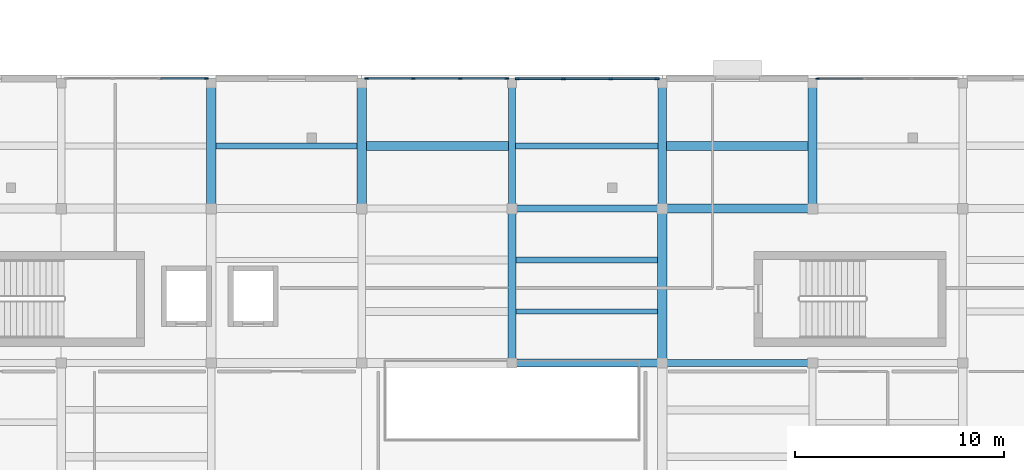
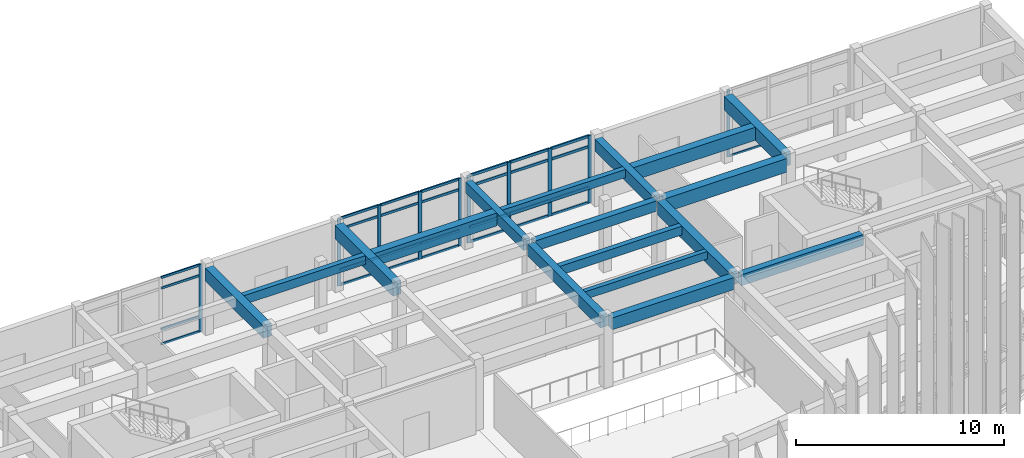
# One storey, part 20 of 47: 39 members, 17 beams, 4 elements without a shape of their own.
"""IFC4 building model written with IfcOpenShell, lengths in metres."""

from ifc_helpers import new_model, si_unit, direction, frame, origin, origin_2d, place, context, subcontext, project, spatial, rectangle, extrude, material, layer, layer_set, material_profile, profile_set, type_object, element, aggregate, save


model = new_model("IFC4")

# Units and contexts
model_context = context("Model", 3, precision=1e-05, world=origin(), true_north=direction((0.0, 1.0)))
body_context = subcontext(model_context, "Body", "Model", "MODEL_VIEW")
ifc_project = project(units=[si_unit("LENGTHUNIT", "METRE"), si_unit("AREAUNIT", "SQUARE_METRE"), si_unit("VOLUMEUNIT", "CUBIC_METRE"), si_unit("PLANEANGLEUNIT", "RADIAN"), si_unit("MASSUNIT", "GRAM", prefix="KILO")], contexts=[model_context])

# Site, building, storey
site_placement = place(None, origin())
site = spatial("IfcSite", under=ifc_project, at=site_placement, CompositionType="ELEMENT")
building_placement = place(site_placement, origin())
building = spatial("IfcBuilding", under=site, at=building_placement, Name="Brisavento Harbour Community Centre", CompositionType="ELEMENT")
storey_placement = place(building_placement, frame((0.0, 0.0, 8.699951171875)))
storey = spatial("IfcBuildingStorey", under=building, at=storey_placement, Name="L02", CompositionType="ELEMENT", Elevation=8.699951171875)

# Beams
ifc_material_1 = material(Name="Concrete C35/45", Category="concrete")
ifc_material_profile_1 = material_profile(ifc_material_1, rectangle(XDim=0.25, YDim=0.449951171875, at=origin_2d()), Name="Concrete C35/45")
ifc_profile_set_1 = profile_set([ifc_material_profile_1], Name="Concrete C35/45")
beam_type_1 = type_object("IfcBeamType", Name="BM-JST-250x450", PredefinedType="JOIST", material=ifc_profile_set_1)
beam_1_placement = place(storey_placement, frame((144.199951171875, 17.466796875, 3.735107421875), z_axis=(1.0, 0.0, 0.0), x_axis=(0.0, 1.0, 0.0)))
element("IfcBeam", 1, at=beam_1_placement, inside=storey, type_object=beam_type_1, Name="L02 secondary floor joist 0310", PredefinedType="JOIST", context=body_context, shape_type="SweptSolid", body=[
    extrude(rectangle(XDim=0.25, YDim=0.449951171875, at=origin_2d()), origin(), (0.0, 0.0, 1.0), 6.775146484375),
])
ifc_material_profile_2 = material_profile(ifc_material_1, rectangle(XDim=0.280029296875, YDim=0.47998046875, at=origin_2d()), Name="Concrete C35/45")
ifc_profile_set_2 = profile_set([ifc_material_profile_2], Name="Concrete C35/45")
beam_type_2 = type_object("IfcBeamType", Name="BM-JST-280x480", PredefinedType="JOIST", material=ifc_profile_set_2)
beam_2_placement = place(storey_placement, frame((144.175048828125, 25.39990234375, 3.719970703125), z_axis=(1.0, 0.0, 0.0), x_axis=(0.0, 1.0, 0.0)))
element("IfcBeam", 2, at=beam_2_placement, inside=storey, type_object=beam_type_2, Name="L02 secondary floor joist 0312", PredefinedType="JOIST", context=body_context, shape_type="SweptSolid", body=[
    extrude(rectangle(XDim=0.280029296875, YDim=0.47998046875, at=origin_2d()), origin(), (0.0, 0.0, 1.0), 6.824951171875),
])
ifc_material_profile_3 = material_profile(ifc_material_1, rectangle(XDim=0.280029296875, YDim=0.52001953125, at=origin_2d()), Name="Concrete C35/45")
ifc_profile_set_3 = profile_set([ifc_material_profile_3], Name="Concrete C35/45")
beam_type_3 = type_object("IfcBeamType", Name="BM-JST-280x520", PredefinedType="JOIST", material=ifc_profile_set_3)
beam_3_placement = place(storey_placement, frame((129.824951171875, 25.39990234375, 3.699951171875), z_axis=(1.0, 0.0, 0.0), x_axis=(0.0, 1.0, 0.0)))
element("IfcBeam", 3, at=beam_3_placement, inside=storey, type_object=beam_type_3, Name="L02 secondary floor joist 0300", PredefinedType="JOIST", context=body_context, shape_type="SweptSolid", body=[
    extrude(rectangle(XDim=0.280029296875, YDim=0.52001953125, at=origin_2d()), origin(), (0.0, 0.0, 1.0), 6.75),
])
beam_4_placement = place(storey_placement, frame((144.199951171875, 19.933349609375, 3.699951171875), z_axis=(1.0, 0.0, 0.0), x_axis=(0.0, 1.0, 0.0)))
element("IfcBeam", 4, at=beam_4_placement, inside=storey, type_object=beam_type_3, Name="L02 secondary floor joist 0311", PredefinedType="JOIST", context=body_context, shape_type="SweptSolid", body=[
    extrude(rectangle(XDim=0.280029296875, YDim=0.52001953125, at=origin_2d()), origin(), (0.0, 0.0, 1.0), 6.775146484375),
])
ifc_material_profile_4 = material_profile(ifc_material_1, rectangle(XDim=0.419921875, YDim=0.760009765625, at=origin_2d()), Name="Concrete C35/45")
ifc_profile_set_4 = profile_set([ifc_material_profile_4], Name="Concrete C35/45")
beam_type_4 = type_object("IfcBeamType", Name="BM-JST-420x760", PredefinedType="JOIST", material=ifc_profile_set_4)
beam_5_placement = place(storey_placement, frame((137.02490234375, 25.39990234375, 3.580078125), z_axis=(1.0, 0.0, 0.0), x_axis=(0.0, 1.0, 0.0)))
element("IfcBeam", 5, at=beam_5_placement, inside=storey, type_object=beam_type_4, Name="L02 secondary floor joist 0307", PredefinedType="JOIST", context=body_context, shape_type="SweptSolid", body=[
    extrude(rectangle(XDim=0.419921875, YDim=0.760009765625, at=origin_2d()), origin(), (0.0, 0.0, 1.0), 6.800048828125),
])
beam_6_placement = place(storey_placement, frame((151.39990234375, 25.39990234375, 3.580078125), z_axis=(1.0, 0.0, 0.0), x_axis=(0.0, 1.0, 0.0)))
element("IfcBeam", 6, at=beam_6_placement, inside=storey, type_object=beam_type_4, Name="L02 secondary floor joist 0318", PredefinedType="JOIST", context=body_context, shape_type="SweptSolid", body=[
    extrude(rectangle(XDim=0.419921875, YDim=0.760009765625, at=origin_2d()), origin(), (0.0, 0.0, 1.0), 6.775146484375),
])
ifc_material_profile_5 = material_profile(ifc_material_1, rectangle(XDim=0.35009765625, YDim=0.60009765625, at=origin_2d()), Name="Concrete C35/45")
ifc_profile_set_5 = profile_set([ifc_material_profile_5], Name="Concrete C35/45")
beam_type_5 = type_object("IfcBeamType", Name="BM-RC-350x600", PredefinedType="BEAM", material=ifc_profile_set_5)
beam_7_placement = place(storey_placement, frame((144.219970703125, 22.39990234375, 3.66015625), z_axis=(1.0, 0.0, 0.0), x_axis=(0.0, 1.0, 0.0)))
element("IfcBeam", 7, at=beam_7_placement, inside=storey, type_object=beam_type_5, Name="L02 primary girder X0559", PredefinedType="BEAM", context=body_context, shape_type="SweptSolid", body=[
    extrude(rectangle(XDim=0.35009765625, YDim=0.60009765625, at=origin_2d()), origin(), (0.0, 0.0, 1.0), 6.760009765625),
])
ifc_material_profile_6 = material_profile(ifc_material_1, rectangle(XDim=0.35009765625, YDim=0.64990234375, at=origin_2d()), Name="Concrete C35/45")
ifc_profile_set_6 = profile_set([ifc_material_profile_6], Name="Concrete C35/45")
beam_type_6 = type_object("IfcBeamType", Name="BM-RC-350x650", PredefinedType="BEAM", material=ifc_profile_set_6)
beam_8_placement = place(storey_placement, frame((151.419921875, 15.0, 3.635009765625), z_axis=(1.0, 0.0, 0.0), x_axis=(0.0, 1.0, 0.0)))
element("IfcBeam", 8, at=beam_8_placement, inside=storey, type_object=beam_type_6, Name="L02 primary girder X0553", PredefinedType="BEAM", context=body_context, shape_type="SweptSolid", body=[
    extrude(rectangle(XDim=0.35009765625, YDim=0.64990234375, at=origin_2d()), origin(), (0.0, 0.0, 1.0), 6.760009765625),
])
beam_9_placement = place(storey_placement, frame((144.0, 22.6201171875, 3.635009765625), z_axis=(0.0, 1.0, 0.0), x_axis=(-1.0, 0.0, 0.0)))
element("IfcBeam", 9, at=beam_9_placement, inside=storey, type_object=beam_type_6, Name="L02 primary girder Y0618", PredefinedType="BEAM", context=body_context, shape_type="SweptSolid", body=[
    extrude(rectangle(XDim=0.35009765625, YDim=0.64990234375, at=origin_2d()), origin(), (0.0, 0.0, 1.0), 5.5849609375),
])
ifc_material_profile_7 = material_profile(ifc_material_1, rectangle(XDim=0.39990234375, YDim=0.699951171875, at=origin_2d()), Name="Concrete C35/45")
ifc_profile_set_7 = profile_set([ifc_material_profile_7], Name="Concrete C35/45")
beam_type_7 = type_object("IfcBeamType", Name="BM-RC-400x700", PredefinedType="BEAM", material=ifc_profile_set_7)
beam_10_placement = place(storey_placement, frame((144.219970703125, 15.0, 3.610107421875), z_axis=(1.0, 0.0, 0.0), x_axis=(0.0, 1.0, 0.0)))
element("IfcBeam", 10, at=beam_10_placement, inside=storey, type_object=beam_type_7, Name="L02 primary girder X0552", PredefinedType="BEAM", context=body_context, shape_type="SweptSolid", body=[
    extrude(rectangle(XDim=0.39990234375, YDim=0.699951171875, at=origin_2d()), origin(), (0.0, 0.0, 1.0), 6.760009765625),
])
beam_11_placement = place(storey_placement, frame((144.0, 15.219970703125, 3.610107421875), z_axis=(0.0, 1.0, 0.0), x_axis=(-1.0, 0.0, 0.0)))
element("IfcBeam", 11, at=beam_11_placement, inside=storey, type_object=beam_type_7, Name="L02 primary girder Y0617", PredefinedType="BEAM", context=body_context, shape_type="SweptSolid", body=[
    extrude(rectangle(XDim=0.39990234375, YDim=0.699951171875, at=origin_2d()), origin(), (0.0, 0.0, 1.0), 6.9599609375),
])
beam_12_placement = place(storey_placement, frame((151.199951171875, 22.6201171875, 3.610107421875), z_axis=(0.0, 1.0, 0.0), x_axis=(-1.0, 0.0, 0.0)))
element("IfcBeam", 12, at=beam_12_placement, inside=storey, type_object=beam_type_7, Name="L02 primary girder Y0622", PredefinedType="BEAM", context=body_context, shape_type="SweptSolid", body=[
    extrude(rectangle(XDim=0.39990234375, YDim=0.699951171875, at=origin_2d()), origin(), (0.0, 0.0, 1.0), 5.5849609375),
])
ifc_material_profile_8 = material_profile(ifc_material_1, rectangle(XDim=0.449951171875, YDim=0.75, at=origin_2d()), Name="Concrete C35/45")
ifc_profile_set_8 = profile_set([ifc_material_profile_8], Name="Concrete C35/45")
beam_type_8 = type_object("IfcBeamType", Name="BM-RC-450x750", PredefinedType="BEAM", material=ifc_profile_set_8)
beam_13_placement = place(storey_placement, frame((129.60009765625, 22.6201171875, 3.5849609375), z_axis=(0.0, 1.0, 0.0), x_axis=(-1.0, 0.0, 0.0)))
element("IfcBeam", 13, at=beam_13_placement, inside=storey, type_object=beam_type_8, Name="L02 primary girder Y0611", PredefinedType="BEAM", context=body_context, shape_type="SweptSolid", body=[
    extrude(rectangle(XDim=0.449951171875, YDim=0.75, at=origin_2d()), origin(), (0.0, 0.0, 1.0), 5.5849609375),
])
beam_14_placement = place(storey_placement, frame((151.199951171875, 15.219970703125, 3.5849609375), z_axis=(0.0, 1.0, 0.0), x_axis=(-1.0, 0.0, 0.0)))
element("IfcBeam", 14, at=beam_14_placement, inside=storey, type_object=beam_type_8, Name="L02 primary girder Y0621", PredefinedType="BEAM", context=body_context, shape_type="SweptSolid", body=[
    extrude(rectangle(XDim=0.449951171875, YDim=0.75, at=origin_2d()), origin(), (0.0, 0.0, 1.0), 6.9599609375),
])
ifc_material_profile_9 = material_profile(ifc_material_1, rectangle(XDim=0.449951171875, YDim=0.800048828125, at=origin_2d()), Name="Concrete C35/45")
ifc_profile_set_9 = profile_set([ifc_material_profile_9], Name="Concrete C35/45")
beam_type_9 = type_object("IfcBeamType", Name="BM-RC-450x800", PredefinedType="BEAM", material=ifc_profile_set_9)
beam_15_placement = place(storey_placement, frame((151.419921875, 22.39990234375, 3.56005859375), z_axis=(1.0, 0.0, 0.0), x_axis=(0.0, 1.0, 0.0)))
element("IfcBeam", 15, at=beam_15_placement, inside=storey, type_object=beam_type_9, Name="L02 primary girder X0560", PredefinedType="BEAM", context=body_context, shape_type="SweptSolid", body=[
    extrude(rectangle(XDim=0.449951171875, YDim=0.800048828125, at=origin_2d()), origin(), (0.0, 0.0, 1.0), 6.760009765625),
])
for number, where, z_axis, x_axis, name in (
    (16, (136.800048828125, 22.6201171875, 3.56005859375), (0.0, 1.0, 0.0), (-1.0, 0.0, 0.0), "L02 primary girder Y0615"),
    (17, (158.39990234375, 22.6201171875, 3.56005859375), (0.0, 1.0, 0.0), (-1.0, 0.0, 0.0), "L02 primary girder Y0625"),
):
    element("IfcBeam", number, at=place(storey_placement, frame(where, z_axis=z_axis, x_axis=x_axis)), inside=storey, type_object=beam_type_9, Name=name, PredefinedType="BEAM", context=body_context, shape_type="SweptSolid", body=[
        extrude(rectangle(XDim=0.449951171875, YDim=0.800048828125, at=origin_2d()), origin(), (0.0, 0.0, 1.0), 5.5849609375),
    ])

# Curtain wall, member
ifc_material_2 = material(Name="Marine-anodised aluminium AW-6063-T6", Category="aluminium")
ifc_layer_1 = layer(ifc_material_2, 0.179931640625, Name="Marine-anodised aluminium AW-6063-T6")
ifc_layer_set_1 = layer_set([ifc_layer_1], Name="Marine-anodised aluminium AW-6063-T6")
curtain_wall_type_1 = type_object("IfcCurtainWallType", Name="CW-SYS-09", PredefinedType="USERDEFINED", material=ifc_layer_set_1)
curtain_wall_1_placement = place(storey_placement, origin())
curtain_wall_1 = element("IfcCurtainWall", 18, at=curtain_wall_1_placement, inside=storey, type_object=curtain_wall_type_1, Name="L02 V3 unitised curtain wall 149", ObjectType="UNITISED CURTAIN WALL", PredefinedType="USERDEFINED")
ifc_material_profile_10 = material_profile(ifc_material_2, rectangle(XDim=0.06494140625, YDim=0.1650390625, at=origin_2d()), Name="Marine-anodised aluminium AW-6063-T6")
ifc_profile_set_10 = profile_set([ifc_material_profile_10], Name="Marine-anodised aluminium AW-6063-T6")
member_type_1 = type_object("IfcMemberType", Name="CWM-01", PredefinedType="MULLION", material=ifc_profile_set_10)
member_1_placement = place(storey_placement, frame((158.642578125, 28.6201171875, 0.0), z_axis=(0.0, 0.0, 1.0), x_axis=(0.0, 1.0, 0.0)))
member_1 = element("IfcMember", 19, at=member_1_placement, type_object=member_type_1, Name="CW-09 mullion 1", PredefinedType="MULLION", context=body_context, shape_type="SweptSolid", body=[
    extrude(rectangle(XDim=0.06494140625, YDim=0.1650390625, at=origin_2d()), origin(), (0.0, 0.0, 1.0), 3.9599609375),
])

ifc_layer_2 = layer(ifc_material_2, 0.179931640625, Name="Marine-anodised aluminium AW-6063-T6")
ifc_layer_set_2 = layer_set([ifc_layer_2], Name="Marine-anodised aluminium AW-6063-T6")
curtain_wall_type_2 = type_object("IfcCurtainWallType", Name="CW-SYS-06", PredefinedType="USERDEFINED", material=ifc_layer_set_2)
curtain_wall_2_placement = place(storey_placement, origin())
curtain_wall_2 = element("IfcCurtainWall", 20, at=curtain_wall_2_placement, inside=storey, type_object=curtain_wall_type_2, Name="L02 V3 unitised curtain wall 146", ObjectType="UNITISED CURTAIN WALL", PredefinedType="USERDEFINED")
ifc_material_profile_11 = material_profile(ifc_material_2, rectangle(XDim=0.070068359375, YDim=0.179931640625, at=origin_2d()), Name="Marine-anodised aluminium AW-6063-T6")
ifc_profile_set_11 = profile_set([ifc_material_profile_11], Name="Marine-anodised aluminium AW-6063-T6")
member_type_2 = type_object("IfcMemberType", Name="CWM-02", PredefinedType="MULLION", material=ifc_profile_set_11)
member_2_placement = place(storey_placement, frame((129.35498046875, 28.6201171875, 0.0), z_axis=(0.0, 0.0, 1.0), x_axis=(0.0, 1.0, 0.0)))
member_2 = element("IfcMember", 21, at=member_2_placement, type_object=member_type_2, Name="CW-06 mullion 4", PredefinedType="MULLION", context=body_context, shape_type="SweptSolid", body=[
    extrude(rectangle(XDim=0.070068359375, YDim=0.179931640625, at=origin_2d()), origin(), (0.0, 0.0, 1.0), 3.9599609375),
])

# Curtain wall, members
ifc_layer_3 = layer(ifc_material_2, 0.179931640625, Name="Marine-anodised aluminium AW-6063-T6")
ifc_layer_set_3 = layer_set([ifc_layer_3], Name="Marine-anodised aluminium AW-6063-T6")
curtain_wall_type_3 = type_object("IfcCurtainWallType", Name="CW-SYS-07", PredefinedType="USERDEFINED", material=ifc_layer_set_3)
curtain_wall_3_placement = place(storey_placement, origin())
curtain_wall_3 = element("IfcCurtainWall", 22, at=curtain_wall_3_placement, inside=storey, type_object=curtain_wall_type_3, Name="L02 V3 unitised curtain wall 147", ObjectType="UNITISED CURTAIN WALL", PredefinedType="USERDEFINED")
ifc_material_profile_12 = material_profile(ifc_material_2, rectangle(XDim=0.074951171875, YDim=0.18994140625, at=origin_2d()), Name="Marine-anodised aluminium AW-6063-T6")
ifc_profile_set_12 = profile_set([ifc_material_profile_12], Name="Marine-anodised aluminium AW-6063-T6")
member_type_3 = type_object("IfcMemberType", Name="CWM-03", PredefinedType="MULLION", material=ifc_profile_set_12)
member_3_placement = place(storey_placement, frame((137.047607421875, 28.6201171875, 0.0), z_axis=(0.0, 0.0, 1.0), x_axis=(0.0, 1.0, 0.0)))
member_3 = element("IfcMember", 23, at=member_3_placement, type_object=member_type_3, Name="CW-07 mullion 1", PredefinedType="MULLION", context=body_context, shape_type="SweptSolid", body=[
    extrude(rectangle(XDim=0.074951171875, YDim=0.18994140625, at=origin_2d()), origin(), (0.0, 0.0, 1.0), 3.9599609375),
])
member_4_placement = place(storey_placement, frame((139.27001953125, 28.6201171875, 0.0), z_axis=(0.0, 0.0, 1.0), x_axis=(0.0, 1.0, 0.0)))
member_4 = element("IfcMember", 24, at=member_4_placement, type_object=member_type_3, Name="CW-07 mullion 2", PredefinedType="MULLION", context=body_context, shape_type="SweptSolid", body=[
    extrude(rectangle(XDim=0.074951171875, YDim=0.18994140625, at=origin_2d()), origin(), (0.0, 0.0, 1.0), 3.9599609375),
])
member_5_placement = place(storey_placement, frame((141.530029296875, 28.6201171875, 0.0), z_axis=(0.0, 0.0, 1.0), x_axis=(0.0, 1.0, 0.0)))
member_5 = element("IfcMember", 25, at=member_5_placement, type_object=member_type_3, Name="CW-07 mullion 3", PredefinedType="MULLION", context=body_context, shape_type="SweptSolid", body=[
    extrude(rectangle(XDim=0.074951171875, YDim=0.18994140625, at=origin_2d()), origin(), (0.0, 0.0, 1.0), 3.9599609375),
])
member_6_placement = place(storey_placement, frame((143.75244140625, 28.6201171875, 0.0), z_axis=(0.0, 0.0, 1.0), x_axis=(0.0, 1.0, 0.0)))
member_6 = element("IfcMember", 26, at=member_6_placement, type_object=member_type_3, Name="CW-07 mullion 4", PredefinedType="MULLION", context=body_context, shape_type="SweptSolid", body=[
    extrude(rectangle(XDim=0.074951171875, YDim=0.18994140625, at=origin_2d()), origin(), (0.0, 0.0, 1.0), 3.9599609375),
])

ifc_layer_4 = layer(ifc_material_2, 0.179931640625, Name="Marine-anodised aluminium AW-6063-T6")
ifc_layer_set_4 = layer_set([ifc_layer_4], Name="Marine-anodised aluminium AW-6063-T6")
curtain_wall_type_4 = type_object("IfcCurtainWallType", Name="CW-SYS-08", PredefinedType="USERDEFINED", material=ifc_layer_set_4)
curtain_wall_4_placement = place(storey_placement, origin())
curtain_wall_4 = element("IfcCurtainWall", 27, at=curtain_wall_4_placement, inside=storey, type_object=curtain_wall_type_4, Name="L02 V3 unitised curtain wall 148", ObjectType="UNITISED CURTAIN WALL", PredefinedType="USERDEFINED")
ifc_material_profile_13 = material_profile(ifc_material_2, rectangle(XDim=0.080078125, YDim=0.2099609375, at=origin_2d()), Name="Marine-anodised aluminium AW-6063-T6")
ifc_profile_set_13 = profile_set([ifc_material_profile_13], Name="Marine-anodised aluminium AW-6063-T6")
member_type_4 = type_object("IfcMemberType", Name="CWM-04", PredefinedType="MULLION", material=ifc_profile_set_13)
member_7_placement = place(storey_placement, frame((144.25, 28.6201171875, 0.0), z_axis=(0.0, 0.0, 1.0), x_axis=(0.0, 1.0, 0.0)))
member_7 = element("IfcMember", 28, at=member_7_placement, type_object=member_type_4, Name="CW-08 mullion 1", PredefinedType="MULLION", context=body_context, shape_type="SweptSolid", body=[
    extrude(rectangle(XDim=0.080078125, YDim=0.2099609375, at=origin_2d()), origin(), (0.0, 0.0, 1.0), 3.9599609375),
])
member_8_placement = place(storey_placement, frame((146.469970703125, 28.6201171875, 0.0), z_axis=(0.0, 0.0, 1.0), x_axis=(0.0, 1.0, 0.0)))
member_8 = element("IfcMember", 29, at=member_8_placement, type_object=member_type_4, Name="CW-08 mullion 2", PredefinedType="MULLION", context=body_context, shape_type="SweptSolid", body=[
    extrude(rectangle(XDim=0.080078125, YDim=0.2099609375, at=origin_2d()), origin(), (0.0, 0.0, 1.0), 3.9599609375),
])
member_9_placement = place(storey_placement, frame((148.72998046875, 28.6201171875, 0.0), z_axis=(0.0, 0.0, 1.0), x_axis=(0.0, 1.0, 0.0)))
member_9 = element("IfcMember", 30, at=member_9_placement, type_object=member_type_4, Name="CW-08 mullion 3", PredefinedType="MULLION", context=body_context, shape_type="SweptSolid", body=[
    extrude(rectangle(XDim=0.080078125, YDim=0.2099609375, at=origin_2d()), origin(), (0.0, 0.0, 1.0), 3.9599609375),
])
member_10_placement = place(storey_placement, frame((150.949951171875, 28.6201171875, 0.0), z_axis=(0.0, 0.0, 1.0), x_axis=(0.0, 1.0, 0.0)))
member_10 = element("IfcMember", 31, at=member_10_placement, type_object=member_type_4, Name="CW-08 mullion 4", PredefinedType="MULLION", context=body_context, shape_type="SweptSolid", body=[
    extrude(rectangle(XDim=0.080078125, YDim=0.2099609375, at=origin_2d()), origin(), (0.0, 0.0, 1.0), 3.9599609375),
])

# Member
ifc_material_profile_14 = material_profile(ifc_material_2, rectangle(XDim=0.06494140625, YDim=0.125, at=origin_2d()), Name="Marine-anodised aluminium AW-6063-T6")
ifc_profile_set_14 = profile_set([ifc_material_profile_14], Name="Marine-anodised aluminium AW-6063-T6")
member_type_5 = type_object("IfcMemberType", Name="CWT-01", PredefinedType="USERDEFINED", material=ifc_profile_set_14)
member_11_placement = place(storey_placement, frame((158.675048828125, 28.6201171875, 0.032470703125), z_axis=(1.0, 0.0, 0.0), x_axis=(0.0, 1.0, 0.0)))
member_11 = element("IfcMember", 32, at=member_11_placement, type_object=member_type_5, Name="CW-09 transom 1.1", ObjectType="TRANSOM", PredefinedType="USERDEFINED", context=body_context, shape_type="SweptSolid", body=[
    extrude(rectangle(XDim=0.06494140625, YDim=0.125, at=origin_2d()), origin(), (0.0, 0.0, 1.0), 2.162353515625),
])

aggregate(curtain_wall_1, [member_1, member_11])

ifc_material_profile_15 = material_profile(ifc_material_2, rectangle(XDim=0.070068359375, YDim=0.132080078125, at=origin_2d()), Name="Marine-anodised aluminium AW-6063-T6")
ifc_profile_set_15 = profile_set([ifc_material_profile_15], Name="Marine-anodised aluminium AW-6063-T6")
member_type_6 = type_object("IfcMemberType", Name="CWT-02", PredefinedType="USERDEFINED", material=ifc_profile_set_15)
member_12_placement = place(storey_placement, frame((127.1650390625, 28.6201171875, 0.03515625), z_axis=(1.0, 0.0, 0.0), x_axis=(0.0, 1.0, 0.0)))
member_12 = element("IfcMember", 33, at=member_12_placement, type_object=member_type_6, Name="CW-06 transom 3.1", ObjectType="TRANSOM", PredefinedType="USERDEFINED", context=body_context, shape_type="SweptSolid", body=[
    extrude(rectangle(XDim=0.070068359375, YDim=0.132080078125, at=origin_2d()), origin(), (0.0, 0.0, 1.0), 2.155029296875),
])

member_13_placement = place(storey_placement, frame((127.1650390625, 28.6201171875, 0.900146484375), z_axis=(1.0, 0.0, 0.0), x_axis=(0.0, 1.0, 0.0)))
member_13 = element("IfcMember", 34, at=member_13_placement, type_object=member_type_6, Name="CW-06 transom 3.2", ObjectType="TRANSOM", PredefinedType="USERDEFINED", context=body_context, shape_type="SweptSolid", body=[
    extrude(rectangle(XDim=0.070068359375, YDim=0.132080078125, at=origin_2d()), origin(), (0.0, 0.0, 1.0), 2.155029296875),
])

member_14_placement = place(storey_placement, frame((127.1650390625, 28.6201171875, 3.31005859375), z_axis=(1.0, 0.0, 0.0), x_axis=(0.0, 1.0, 0.0)))
member_14 = element("IfcMember", 35, at=member_14_placement, type_object=member_type_6, Name="CW-06 transom 3.3", ObjectType="TRANSOM", PredefinedType="USERDEFINED", context=body_context, shape_type="SweptSolid", body=[
    extrude(rectangle(XDim=0.070068359375, YDim=0.132080078125, at=origin_2d()), origin(), (0.0, 0.0, 1.0), 2.155029296875),
])

member_15_placement = place(storey_placement, frame((127.1650390625, 28.6201171875, 3.925048828125), z_axis=(1.0, 0.0, 0.0), x_axis=(0.0, 1.0, 0.0)))
member_15 = element("IfcMember", 36, at=member_15_placement, type_object=member_type_6, Name="CW-06 transom 3.4", ObjectType="TRANSOM", PredefinedType="USERDEFINED", context=body_context, shape_type="SweptSolid", body=[
    extrude(rectangle(XDim=0.070068359375, YDim=0.132080078125, at=origin_2d()), origin(), (0.0, 0.0, 1.0), 2.155029296875),
])

aggregate(curtain_wall_2, [member_2, member_12, member_13, member_14, member_15])

ifc_material_profile_16 = material_profile(ifc_material_2, rectangle(XDim=0.074951171875, YDim=0.139892578125, at=origin_2d()), Name="Marine-anodised aluminium AW-6063-T6")
ifc_profile_set_16 = profile_set([ifc_material_profile_16], Name="Marine-anodised aluminium AW-6063-T6")
member_type_7 = type_object("IfcMemberType", Name="CWT-03", PredefinedType="USERDEFINED", material=ifc_profile_set_16)
member_16_placement = place(storey_placement, frame((137.0849609375, 28.6201171875, 0.03759765625), z_axis=(1.0, 0.0, 0.0), x_axis=(0.0, 1.0, 0.0)))
member_16 = element("IfcMember", 37, at=member_16_placement, type_object=member_type_7, Name="CW-07 transom 1.1", ObjectType="TRANSOM", PredefinedType="USERDEFINED", context=body_context, shape_type="SweptSolid", body=[
    extrude(rectangle(XDim=0.074951171875, YDim=0.139892578125, at=origin_2d()), origin(), (0.0, 0.0, 1.0), 2.1474609375),
])

member_17_placement = place(storey_placement, frame((137.0849609375, 28.6201171875, 0.900146484375), z_axis=(1.0, 0.0, 0.0), x_axis=(0.0, 1.0, 0.0)))
member_17 = element("IfcMember", 38, at=member_17_placement, type_object=member_type_7, Name="CW-07 transom 1.2", ObjectType="TRANSOM", PredefinedType="USERDEFINED", context=body_context, shape_type="SweptSolid", body=[
    extrude(rectangle(XDim=0.074951171875, YDim=0.139892578125, at=origin_2d()), origin(), (0.0, 0.0, 1.0), 2.1474609375),
])

member_18_placement = place(storey_placement, frame((137.0849609375, 28.6201171875, 3.31005859375), z_axis=(1.0, 0.0, 0.0), x_axis=(0.0, 1.0, 0.0)))
member_18 = element("IfcMember", 39, at=member_18_placement, type_object=member_type_7, Name="CW-07 transom 1.3", ObjectType="TRANSOM", PredefinedType="USERDEFINED", context=body_context, shape_type="SweptSolid", body=[
    extrude(rectangle(XDim=0.074951171875, YDim=0.139892578125, at=origin_2d()), origin(), (0.0, 0.0, 1.0), 2.1474609375),
])

member_19_placement = place(storey_placement, frame((137.0849609375, 28.6201171875, 3.922607421875), z_axis=(1.0, 0.0, 0.0), x_axis=(0.0, 1.0, 0.0)))
member_19 = element("IfcMember", 40, at=member_19_placement, type_object=member_type_7, Name="CW-07 transom 1.4", ObjectType="TRANSOM", PredefinedType="USERDEFINED", context=body_context, shape_type="SweptSolid", body=[
    extrude(rectangle(XDim=0.074951171875, YDim=0.139892578125, at=origin_2d()), origin(), (0.0, 0.0, 1.0), 2.1474609375),
])

member_20_placement = place(storey_placement, frame((139.3076171875, 28.6201171875, 0.03759765625), z_axis=(1.0, 0.0, 0.0), x_axis=(0.0, 1.0, 0.0)))
member_20 = element("IfcMember", 41, at=member_20_placement, type_object=member_type_7, Name="CW-07 transom 2.1", ObjectType="TRANSOM", PredefinedType="USERDEFINED", context=body_context, shape_type="SweptSolid", body=[
    extrude(rectangle(XDim=0.074951171875, YDim=0.139892578125, at=origin_2d()), origin(), (0.0, 0.0, 1.0), 2.184814453125),
])

member_21_placement = place(storey_placement, frame((139.3076171875, 28.6201171875, 0.900146484375), z_axis=(1.0, 0.0, 0.0), x_axis=(0.0, 1.0, 0.0)))
member_21 = element("IfcMember", 42, at=member_21_placement, type_object=member_type_7, Name="CW-07 transom 2.2", ObjectType="TRANSOM", PredefinedType="USERDEFINED", context=body_context, shape_type="SweptSolid", body=[
    extrude(rectangle(XDim=0.074951171875, YDim=0.139892578125, at=origin_2d()), origin(), (0.0, 0.0, 1.0), 2.184814453125),
])

member_22_placement = place(storey_placement, frame((139.3076171875, 28.6201171875, 3.31005859375), z_axis=(1.0, 0.0, 0.0), x_axis=(0.0, 1.0, 0.0)))
member_22 = element("IfcMember", 43, at=member_22_placement, type_object=member_type_7, Name="CW-07 transom 2.3", ObjectType="TRANSOM", PredefinedType="USERDEFINED", context=body_context, shape_type="SweptSolid", body=[
    extrude(rectangle(XDim=0.074951171875, YDim=0.139892578125, at=origin_2d()), origin(), (0.0, 0.0, 1.0), 2.184814453125),
])

member_23_placement = place(storey_placement, frame((139.3076171875, 28.6201171875, 3.922607421875), z_axis=(1.0, 0.0, 0.0), x_axis=(0.0, 1.0, 0.0)))
member_23 = element("IfcMember", 44, at=member_23_placement, type_object=member_type_7, Name="CW-07 transom 2.4", ObjectType="TRANSOM", PredefinedType="USERDEFINED", context=body_context, shape_type="SweptSolid", body=[
    extrude(rectangle(XDim=0.074951171875, YDim=0.139892578125, at=origin_2d()), origin(), (0.0, 0.0, 1.0), 2.184814453125),
])

member_24_placement = place(storey_placement, frame((141.5673828125, 28.6201171875, 0.03759765625), z_axis=(1.0, 0.0, 0.0), x_axis=(0.0, 1.0, 0.0)))
member_24 = element("IfcMember", 45, at=member_24_placement, type_object=member_type_7, Name="CW-07 transom 3.1", ObjectType="TRANSOM", PredefinedType="USERDEFINED", context=body_context, shape_type="SweptSolid", body=[
    extrude(rectangle(XDim=0.074951171875, YDim=0.139892578125, at=origin_2d()), origin(), (0.0, 0.0, 1.0), 2.147705078125),
])

member_25_placement = place(storey_placement, frame((141.5673828125, 28.6201171875, 0.900146484375), z_axis=(1.0, 0.0, 0.0), x_axis=(0.0, 1.0, 0.0)))
member_25 = element("IfcMember", 46, at=member_25_placement, type_object=member_type_7, Name="CW-07 transom 3.2", ObjectType="TRANSOM", PredefinedType="USERDEFINED", context=body_context, shape_type="SweptSolid", body=[
    extrude(rectangle(XDim=0.074951171875, YDim=0.139892578125, at=origin_2d()), origin(), (0.0, 0.0, 1.0), 2.147705078125),
])

member_26_placement = place(storey_placement, frame((141.5673828125, 28.6201171875, 3.31005859375), z_axis=(1.0, 0.0, 0.0), x_axis=(0.0, 1.0, 0.0)))
member_26 = element("IfcMember", 47, at=member_26_placement, type_object=member_type_7, Name="CW-07 transom 3.3", ObjectType="TRANSOM", PredefinedType="USERDEFINED", context=body_context, shape_type="SweptSolid", body=[
    extrude(rectangle(XDim=0.074951171875, YDim=0.139892578125, at=origin_2d()), origin(), (0.0, 0.0, 1.0), 2.147705078125),
])

member_27_placement = place(storey_placement, frame((141.5673828125, 28.6201171875, 3.922607421875), z_axis=(1.0, 0.0, 0.0), x_axis=(0.0, 1.0, 0.0)))
member_27 = element("IfcMember", 48, at=member_27_placement, type_object=member_type_7, Name="CW-07 transom 3.4", ObjectType="TRANSOM", PredefinedType="USERDEFINED", context=body_context, shape_type="SweptSolid", body=[
    extrude(rectangle(XDim=0.074951171875, YDim=0.139892578125, at=origin_2d()), origin(), (0.0, 0.0, 1.0), 2.147705078125),
])

aggregate(curtain_wall_3, [member_3, member_4, member_5, member_6, member_16, member_17, member_18, member_19, member_20, member_21, member_22, member_23, member_24, member_25, member_26, member_27])

ifc_material_profile_17 = material_profile(ifc_material_2, rectangle(XDim=0.080078125, YDim=0.155029296875, at=origin_2d()), Name="Marine-anodised aluminium AW-6063-T6")
ifc_profile_set_17 = profile_set([ifc_material_profile_17], Name="Marine-anodised aluminium AW-6063-T6")
member_type_8 = type_object("IfcMemberType", Name="CWT-04", PredefinedType="USERDEFINED", material=ifc_profile_set_17)
member_28_placement = place(storey_placement, frame((144.2900390625, 28.6201171875, 0.0400390625), z_axis=(1.0, 0.0, 0.0), x_axis=(0.0, 1.0, 0.0)))
member_28 = element("IfcMember", 49, at=member_28_placement, type_object=member_type_8, Name="CW-08 transom 1.1", ObjectType="TRANSOM", PredefinedType="USERDEFINED", context=body_context, shape_type="SweptSolid", body=[
    extrude(rectangle(XDim=0.080078125, YDim=0.155029296875, at=origin_2d()), origin(), (0.0, 0.0, 1.0), 2.139892578125),
])

member_29_placement = place(storey_placement, frame((144.2900390625, 28.6201171875, 0.900146484375), z_axis=(1.0, 0.0, 0.0), x_axis=(0.0, 1.0, 0.0)))
member_29 = element("IfcMember", 50, at=member_29_placement, type_object=member_type_8, Name="CW-08 transom 1.2", ObjectType="TRANSOM", PredefinedType="USERDEFINED", context=body_context, shape_type="SweptSolid", body=[
    extrude(rectangle(XDim=0.080078125, YDim=0.155029296875, at=origin_2d()), origin(), (0.0, 0.0, 1.0), 2.139892578125),
])

member_30_placement = place(storey_placement, frame((144.2900390625, 28.6201171875, 3.31005859375), z_axis=(1.0, 0.0, 0.0), x_axis=(0.0, 1.0, 0.0)))
member_30 = element("IfcMember", 51, at=member_30_placement, type_object=member_type_8, Name="CW-08 transom 1.3", ObjectType="TRANSOM", PredefinedType="USERDEFINED", context=body_context, shape_type="SweptSolid", body=[
    extrude(rectangle(XDim=0.080078125, YDim=0.155029296875, at=origin_2d()), origin(), (0.0, 0.0, 1.0), 2.139892578125),
])

member_31_placement = place(storey_placement, frame((144.2900390625, 28.6201171875, 3.920166015625), z_axis=(1.0, 0.0, 0.0), x_axis=(0.0, 1.0, 0.0)))
member_31 = element("IfcMember", 52, at=member_31_placement, type_object=member_type_8, Name="CW-08 transom 1.4", ObjectType="TRANSOM", PredefinedType="USERDEFINED", context=body_context, shape_type="SweptSolid", body=[
    extrude(rectangle(XDim=0.080078125, YDim=0.155029296875, at=origin_2d()), origin(), (0.0, 0.0, 1.0), 2.139892578125),
])

member_32_placement = place(storey_placement, frame((146.510009765625, 28.6201171875, 0.0400390625), z_axis=(1.0, 0.0, 0.0), x_axis=(0.0, 1.0, 0.0)))
member_32 = element("IfcMember", 53, at=member_32_placement, type_object=member_type_8, Name="CW-08 transom 2.1", ObjectType="TRANSOM", PredefinedType="USERDEFINED", context=body_context, shape_type="SweptSolid", body=[
    extrude(rectangle(XDim=0.080078125, YDim=0.155029296875, at=origin_2d()), origin(), (0.0, 0.0, 1.0), 2.179931640625),
])

member_33_placement = place(storey_placement, frame((146.510009765625, 28.6201171875, 0.900146484375), z_axis=(1.0, 0.0, 0.0), x_axis=(0.0, 1.0, 0.0)))
member_33 = element("IfcMember", 54, at=member_33_placement, type_object=member_type_8, Name="CW-08 transom 2.2", ObjectType="TRANSOM", PredefinedType="USERDEFINED", context=body_context, shape_type="SweptSolid", body=[
    extrude(rectangle(XDim=0.080078125, YDim=0.155029296875, at=origin_2d()), origin(), (0.0, 0.0, 1.0), 2.179931640625),
])

member_34_placement = place(storey_placement, frame((146.510009765625, 28.6201171875, 3.31005859375), z_axis=(1.0, 0.0, 0.0), x_axis=(0.0, 1.0, 0.0)))
member_34 = element("IfcMember", 55, at=member_34_placement, type_object=member_type_8, Name="CW-08 transom 2.3", ObjectType="TRANSOM", PredefinedType="USERDEFINED", context=body_context, shape_type="SweptSolid", body=[
    extrude(rectangle(XDim=0.080078125, YDim=0.155029296875, at=origin_2d()), origin(), (0.0, 0.0, 1.0), 2.179931640625),
])

member_35_placement = place(storey_placement, frame((146.510009765625, 28.6201171875, 3.920166015625), z_axis=(1.0, 0.0, 0.0), x_axis=(0.0, 1.0, 0.0)))
member_35 = element("IfcMember", 56, at=member_35_placement, type_object=member_type_8, Name="CW-08 transom 2.4", ObjectType="TRANSOM", PredefinedType="USERDEFINED", context=body_context, shape_type="SweptSolid", body=[
    extrude(rectangle(XDim=0.080078125, YDim=0.155029296875, at=origin_2d()), origin(), (0.0, 0.0, 1.0), 2.179931640625),
])

member_36_placement = place(storey_placement, frame((148.77001953125, 28.6201171875, 0.0400390625), z_axis=(1.0, 0.0, 0.0), x_axis=(0.0, 1.0, 0.0)))
member_36 = element("IfcMember", 57, at=member_36_placement, type_object=member_type_8, Name="CW-08 transom 3.1", ObjectType="TRANSOM", PredefinedType="USERDEFINED", context=body_context, shape_type="SweptSolid", body=[
    extrude(rectangle(XDim=0.080078125, YDim=0.155029296875, at=origin_2d()), origin(), (0.0, 0.0, 1.0), 2.139892578125),
])

member_37_placement = place(storey_placement, frame((148.77001953125, 28.6201171875, 0.900146484375), z_axis=(1.0, 0.0, 0.0), x_axis=(0.0, 1.0, 0.0)))
member_37 = element("IfcMember", 58, at=member_37_placement, type_object=member_type_8, Name="CW-08 transom 3.2", ObjectType="TRANSOM", PredefinedType="USERDEFINED", context=body_context, shape_type="SweptSolid", body=[
    extrude(rectangle(XDim=0.080078125, YDim=0.155029296875, at=origin_2d()), origin(), (0.0, 0.0, 1.0), 2.139892578125),
])

member_38_placement = place(storey_placement, frame((148.77001953125, 28.6201171875, 3.31005859375), z_axis=(1.0, 0.0, 0.0), x_axis=(0.0, 1.0, 0.0)))
member_38 = element("IfcMember", 59, at=member_38_placement, type_object=member_type_8, Name="CW-08 transom 3.3", ObjectType="TRANSOM", PredefinedType="USERDEFINED", context=body_context, shape_type="SweptSolid", body=[
    extrude(rectangle(XDim=0.080078125, YDim=0.155029296875, at=origin_2d()), origin(), (0.0, 0.0, 1.0), 2.139892578125),
])

member_39_placement = place(storey_placement, frame((148.77001953125, 28.6201171875, 3.920166015625), z_axis=(1.0, 0.0, 0.0), x_axis=(0.0, 1.0, 0.0)))
member_39 = element("IfcMember", 60, at=member_39_placement, type_object=member_type_8, Name="CW-08 transom 3.4", ObjectType="TRANSOM", PredefinedType="USERDEFINED", context=body_context, shape_type="SweptSolid", body=[
    extrude(rectangle(XDim=0.080078125, YDim=0.155029296875, at=origin_2d()), origin(), (0.0, 0.0, 1.0), 2.139892578125),
])

aggregate(curtain_wall_4, [member_7, member_8, member_9, member_10, member_28, member_29, member_30, member_31, member_32, member_33, member_34, member_35, member_36, member_37, member_38, member_39])

save(model, "model.ifc")
